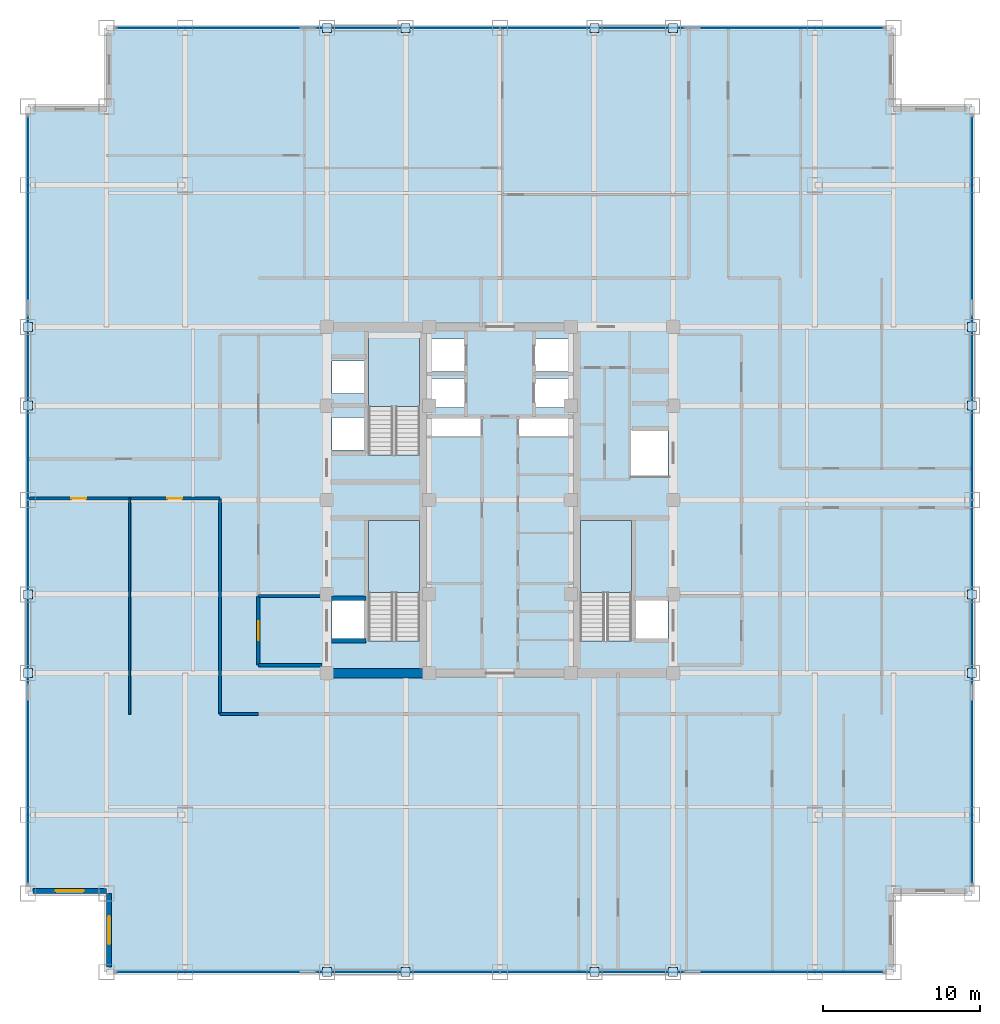
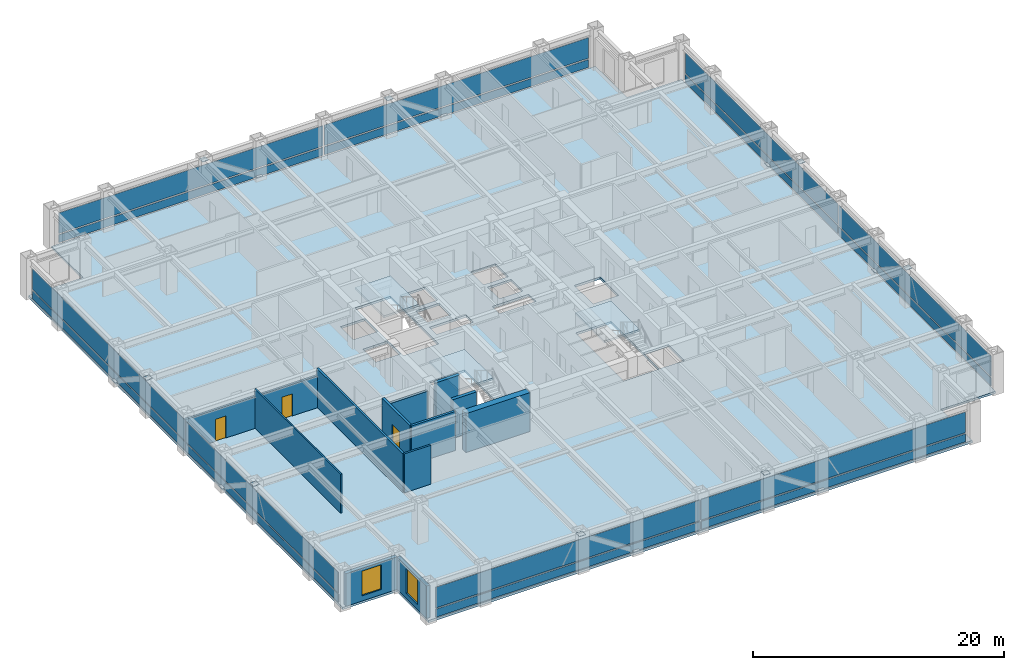
# One storey, part 19 of 25: 32 plates, 12 walls, 4 slabs, 3 doors, 2 windows, 5 openings, 7 elements without a shape of their own.
"""IFC4 building model written with IfcOpenShell, lengths in metres."""

from ifc_helpers import new_model, si_unit, direction, frame, frame_2d, origin, origin_2d, place, context, subcontext, project, spatial, polyline, rectangle, outline, extrude, source, transform, mapped, material, layer, layer_set, type_object, element, fill, aggregate, save


model = new_model("IFC4")

# Units and contexts
model_context = context("Model", 3, precision=1e-05, world=origin(), true_north=direction((0.0, 1.0)))
body_context = subcontext(model_context, "Body", "Model", "MODEL_VIEW")
ifc_project = project(units=[si_unit("LENGTHUNIT", "METRE"), si_unit("AREAUNIT", "SQUARE_METRE"), si_unit("VOLUMEUNIT", "CUBIC_METRE"), si_unit("PLANEANGLEUNIT", "RADIAN"), si_unit("MASSUNIT", "GRAM", prefix="KILO")], contexts=[model_context])

# Site, building, storey
site_placement = place(None, origin())
site = spatial("IfcSite", under=ifc_project, at=site_placement, CompositionType="ELEMENT")
building_placement = place(site_placement, origin())
building = spatial("IfcBuilding", under=site, at=building_placement, Name="Khorayat Bourse Tower", CompositionType="ELEMENT")
storey_placement = place(building_placement, frame((0.0, 0.0, 231.10009765625)))
storey = spatial("IfcBuildingStorey", under=building, at=storey_placement, Name="L54", CompositionType="ELEMENT", Elevation=231.10009765625)

# Stair, slab
ifc_material_1 = material(Name="Concrete C40/50", Category="concrete")
stair_type = type_object("IfcStairType", Name="STR-CORE-1550", PredefinedType="HALF_TURN_STAIR", material=ifc_material_1)
stair_1_placement = place(storey_placement, origin())
stair_1 = element("IfcStair", 1, at=stair_1_placement, inside=storey, type_object=stair_type, Name="L54 Exit Stair ST-1", PredefinedType="HALF_TURN_STAIR")
ifc_layer_1 = layer(ifc_material_1, 0.199951171875)
ifc_layer_set_1 = layer_set([ifc_layer_1], Name="Concrete C40/50")
slab_type_1 = type_object("IfcSlabType", Name="SLB-LANDING-200", PredefinedType="LANDING", material=ifc_layer_set_1)
slab_1_placement = place(storey_placement, frame((0.0, 0.0, 1.7998046875)))
slab_1 = element("IfcSlab", 2, at=slab_1_placement, type_object=slab_type_1, Name="ST-1 landing 1", PredefinedType="LANDING", context=body_context, shape_type="SweptSolid", body=[
    extrude(outline(polyline([(-5.10009765625, -5.8701171875), (-5.10009765625, -1.300048828125), (-8.35009765625, -1.300048828125), (-8.35009765625, -5.8701171875), (-5.10009765625, -5.8701171875)])), origin(), (0.0, 0.0, 1.0), 0.2001953125),
])
aggregate(stair_1, [slab_1])

stair_2_placement = place(storey_placement, origin())
stair_2 = element("IfcStair", 3, at=stair_2_placement, inside=storey, type_object=stair_type, Name="L54 Exit Stair ST-2", PredefinedType="HALF_TURN_STAIR")
slab_2_placement = place(storey_placement, frame((0.0, 0.0, 1.7998046875)))
slab_2 = element("IfcSlab", 4, at=slab_2_placement, type_object=slab_type_1, Name="ST-2 landing 1", PredefinedType="LANDING", context=body_context, shape_type="SweptSolid", body=[
    extrude(outline(polyline([(-5.10009765625, 5.929931640625), (-5.10009765625, 10.5), (-8.35009765625, 10.5), (-8.35009765625, 5.929931640625), (-5.10009765625, 5.929931640625)])), origin(), (0.0, 0.0, 1.0), 0.2001953125),
])
aggregate(stair_2, [slab_2])

stair_3_placement = place(storey_placement, origin())
stair_3 = element("IfcStair", 5, at=stair_3_placement, inside=storey, type_object=stair_type, Name="L54 Exit Stair ST-3", PredefinedType="HALF_TURN_STAIR")
slab_3_placement = place(storey_placement, frame((0.0, 0.0, 1.7998046875)))
slab_3 = element("IfcSlab", 6, at=slab_3_placement, type_object=slab_type_1, Name="ST-3 landing 1", PredefinedType="LANDING", context=body_context, shape_type="SweptSolid", body=[
    extrude(outline(polyline([(8.35009765625, -5.8701171875), (8.35009765625, -1.300048828125), (5.10009765625, -1.300048828125), (5.10009765625, -5.8701171875), (8.35009765625, -5.8701171875)])), origin(), (0.0, 0.0, 1.0), 0.2001953125),
])
aggregate(stair_3, [slab_3])

# Slab
ifc_layer_2 = layer(ifc_material_1, 0.219970703125)
ifc_layer_set_2 = layer_set([ifc_layer_2], Name="Concrete C40/50")
slab_type_2 = type_object("IfcSlabType", Name="SLB-OFFICE-220", PredefinedType="FLOOR", material=ifc_layer_set_2)
slab_4_placement = place(storey_placement, frame((0.0, 0.0, -0.22021484375)))
element("IfcSlab", 7, at=slab_4_placement, inside=storey, type_object=slab_type_2, Name="L54 Main Floor Slab", PredefinedType="FLOOR", context=body_context, shape_type="SweptSolid", body=[
    extrude(outline(polyline([(-25.0, -30.0), (25.0, -30.0), (25.0, -25.0), (30.0, -25.0), (30.0, 25.0), (25.0, 25.0), (25.0, 30.0), (-25.0, 30.0), (-25.0, 25.0), (-30.0, 25.0), (-30.0, -25.0), (-25.0, -25.0), (-25.0, -30.0)]), holes=[polyline([(-8.35009765625, -8.945068359375), (-5.10009765625, -8.945068359375), (-5.10009765625, -1.300048828125), (-8.35009765625, -1.300048828125), (-8.35009765625, -8.945068359375)]), polyline([(-8.35009765625, 2.85498046875), (-5.10009765625, 2.85498046875), (-5.10009765625, 10.5), (-8.35009765625, 10.5), (-8.35009765625, 2.85498046875)]), polyline([(5.10009765625, -8.945068359375), (8.35009765625, -8.945068359375), (8.35009765625, -1.300048828125), (5.10009765625, -1.300048828125), (5.10009765625, -8.945068359375)]), polyline([(-4.3798828125, 8.169921875), (-2.1201171875, 8.169921875), (-2.1201171875, 10.22998046875), (-4.3798828125, 10.22998046875), (-4.3798828125, 8.169921875)]), polyline([(2.1201171875, 8.169921875), (4.3798828125, 8.169921875), (4.3798828125, 10.22998046875), (2.1201171875, 10.22998046875), (2.1201171875, 8.169921875)]), polyline([(-4.3798828125, 5.8701171875), (-2.219970703125, 5.8701171875), (-2.219970703125, 7.72998046875), (-4.3798828125, 7.72998046875), (-4.3798828125, 5.8701171875)]), polyline([(2.219970703125, 5.8701171875), (4.3798828125, 5.8701171875), (4.3798828125, 7.72998046875), (2.219970703125, 7.72998046875), (2.219970703125, 5.8701171875)]), polyline([(-10.679931640625, 3.169921875), (-8.419921875, 3.169921875), (-8.419921875, 5.22998046875), (-10.679931640625, 5.22998046875), (-10.679931640625, 3.169921875)]), polyline([(-10.679931640625, 6.77001953125), (-8.419921875, 6.77001953125), (-8.419921875, 8.830078125), (-10.679931640625, 8.830078125), (-10.679931640625, 6.77001953125)]), polyline([(-10.679931640625, -8.929931640625), (-8.419921875, -8.929931640625), (-8.419921875, -6.3701171875), (-10.679931640625, -6.3701171875), (-10.679931640625, -8.929931640625)]), polyline([(8.419921875, -8.929931640625), (10.679931640625, -8.929931640625), (10.679931640625, -6.3701171875), (8.419921875, -6.3701171875), (8.419921875, -8.929931640625)]), polyline([(8.320068359375, 1.52001953125), (10.679931640625, 1.52001953125), (10.679931640625, 4.47998046875), (8.320068359375, 4.47998046875), (8.320068359375, 1.52001953125)]), polyline([(-4.56005859375, 4.080078125), (-1.18994140625, 4.080078125), (-1.18994140625, 5.219970703125), (-4.56005859375, 5.219970703125), (-4.56005859375, 4.080078125)]), polyline([(1.18994140625, 4.080078125), (4.56005859375, 4.080078125), (4.56005859375, 5.219970703125), (1.18994140625, 5.219970703125), (1.18994140625, 4.080078125)])]), origin(), (0.0, 0.0, 1.0), 0.22021484375),
])

# Plates
ifc_material_2 = material(Name="Steel EN 10025-2 S355J2", Category="steel")
ifc_layer_3 = layer(ifc_material_2, 0.02490234375)
ifc_layer_set_3 = layer_set([ifc_layer_3], Name="Steel EN 10025-2 S355J2")
plate_type_1 = type_object("IfcPlateType", Name="PLT-ENDCAP-25", PredefinedType="SHEET", material=ifc_layer_set_3)
shared_shape_1 = source(origin(), body_context, "Body", "SweptSolid", [
    extrude(rectangle(XDim=0.56005859375, YDim=0.56005859375, at=origin_2d()), origin(), (0.0, 0.0, 1.0), 0.02490234375),
])
for number, where, z_axis, x_axis, name in (
    (8, (-11.0, -30.0, 3.517333984375), (0.0, 0.0, 1.0), (1.0, 0.0, 0.0), "L54 Perimeter Brace End Plate 001"),
    (9, (-6.0, -30.0, 0.237548828125), (0.0, 0.0, 1.0), (1.0, 0.0, 0.0), "L54 Perimeter Brace End Plate 002"),
    (10, (6.0, -30.0, 3.517333984375), (0.0, 0.0, 1.0), (1.0, 0.0, 0.0), "L54 Perimeter Brace End Plate 003"),
    (11, (11.0, -30.0, 0.237548828125), (0.0, 0.0, 1.0), (1.0, 0.0, 0.0), "L54 Perimeter Brace End Plate 004"),
    (12, (-11.0, 30.0, 3.517333984375), (0.0, 0.0, 1.0), (1.0, 0.0, 0.0), "L54 Perimeter Brace End Plate 005"),
    (13, (-6.0, 30.0, 0.237548828125), (0.0, 0.0, 1.0), (1.0, 0.0, 0.0), "L54 Perimeter Brace End Plate 006"),
    (14, (6.0, 30.0, 3.517333984375), (0.0, 0.0, 1.0), (1.0, 0.0, 0.0), "L54 Perimeter Brace End Plate 007"),
    (15, (11.0, 30.0, 0.237548828125), (0.0, 0.0, 1.0), (1.0, 0.0, 0.0), "L54 Perimeter Brace End Plate 008"),
    (16, (-30.0, -11.0, 3.517333984375), (0.0, 0.0, 1.0), (1.0, 0.0, 0.0), "L54 Perimeter Brace End Plate 009"),
    (17, (-30.0, -6.0, 0.237548828125), (0.0, 0.0, 1.0), (1.0, 0.0, 0.0), "L54 Perimeter Brace End Plate 010"),
    (18, (-30.0, 6.0, 3.517333984375), (0.0, 0.0, 1.0), (1.0, 0.0, 0.0), "L54 Perimeter Brace End Plate 011"),
    (19, (-30.0, 11.0, 0.237548828125), (0.0, 0.0, 1.0), (1.0, 0.0, 0.0), "L54 Perimeter Brace End Plate 012"),
    (20, (30.0, -11.0, 3.517333984375), (0.0, 0.0, 1.0), (1.0, 0.0, 0.0), "L54 Perimeter Brace End Plate 013"),
    (21, (30.0, -6.0, 0.237548828125), (0.0, 0.0, 1.0), (1.0, 0.0, 0.0), "L54 Perimeter Brace End Plate 014"),
    (22, (30.0, 6.0, 3.517333984375), (0.0, 0.0, 1.0), (1.0, 0.0, 0.0), "L54 Perimeter Brace End Plate 015"),
    (23, (30.0, 11.0, 0.237548828125), (0.0, 0.0, 1.0), (1.0, 0.0, 0.0), "L54 Perimeter Brace End Plate 016"),
):
    element("IfcPlate", number, at=place(storey_placement, frame(where, z_axis=z_axis, x_axis=x_axis)), inside=storey, type_object=plate_type_1, Name=name, PredefinedType="SHEET", context=body_context, shape_type="MappedRepresentation", body=[
        mapped(shared_shape_1, transform((0.0, 0.0, 0.0), scale=1.0)),
    ])

# Curtain wall, plates
ifc_material_3 = material(Name="Aluminium EN AW-6063 T6", Category="aluminium")
curtain_wall_type = type_object("IfcCurtainWallType", Name="CW-SYS-03", PredefinedType="NOTDEFINED", material=ifc_material_3)
curtain_wall_1_placement = place(storey_placement, origin())
curtain_wall_1 = element("IfcCurtainWall", 24, at=curtain_wall_1_placement, inside=storey, type_object=curtain_wall_type, Name="L54 Curtain Wall CW-L54-S1", PredefinedType="NOTDEFINED")
ifc_material_4 = material(Name="Honed desert limestone insulated spandrel", Category="masonry")
ifc_layer_4 = layer(ifc_material_4, 0.06494140625)
ifc_layer_set_4 = layer_set([ifc_layer_4], Name="Honed desert limestone insulated spandrel")
plate_type_2 = type_object("IfcPlateType", Name="CWP-SPAND-03", PredefinedType="CURTAIN_PANEL", material=ifc_layer_set_4)
shared_shape_2 = source(origin(), body_context, "Body", "SweptSolid", [
    extrude(rectangle(XDim=24.27001953125, YDim=0.06494140625, at=origin_2d()), origin(), (0.0, 0.0, 1.0), 0.77001953125),
])
plate_1_placement = place(storey_placement, frame((-12.195068359375, -30.0, 0.119873046875), z_axis=(0.0, 0.0, 1.0), x_axis=(1.0, 0.0, 0.0)))
plate_1 = element("IfcPlate", 25, at=plate_1_placement, type_object=plate_type_2, Name="CW-L54-S1 Spandrel Panel 1-1", PredefinedType="CURTAIN_PANEL", context=body_context, shape_type="MappedRepresentation", body=[
    mapped(shared_shape_2, transform((0.0, 0.0, 0.0), scale=1.0)),
])
plate_2_placement = place(storey_placement, frame((12.195068359375, -30.0, 0.119873046875), z_axis=(0.0, 0.0, 1.0), x_axis=(1.0, 0.0, 0.0)))
plate_2 = element("IfcPlate", 26, at=plate_2_placement, type_object=plate_type_2, Name="CW-L54-S1 Spandrel Panel 2-1", PredefinedType="CURTAIN_PANEL", context=body_context, shape_type="MappedRepresentation", body=[
    mapped(shared_shape_2, transform((0.0, 0.0, 0.0), scale=1.0)),
])

curtain_wall_2_placement = place(storey_placement, origin())
curtain_wall_2 = element("IfcCurtainWall", 27, at=curtain_wall_2_placement, inside=storey, type_object=curtain_wall_type, Name="L54 Curtain Wall CW-L54-N1", PredefinedType="NOTDEFINED")
plate_3_placement = place(storey_placement, frame((-12.195068359375, 30.0, 0.119873046875), z_axis=(0.0, 0.0, 1.0), x_axis=(1.0, 0.0, 0.0)))
plate_3 = element("IfcPlate", 28, at=plate_3_placement, type_object=plate_type_2, Name="CW-L54-N1 Spandrel Panel 1-1", PredefinedType="CURTAIN_PANEL", context=body_context, shape_type="MappedRepresentation", body=[
    mapped(shared_shape_2, transform((0.0, 0.0, 0.0), scale=1.0)),
])
plate_4_placement = place(storey_placement, frame((12.195068359375, 30.0, 0.119873046875), z_axis=(0.0, 0.0, 1.0), x_axis=(1.0, 0.0, 0.0)))
plate_4 = element("IfcPlate", 29, at=plate_4_placement, type_object=plate_type_2, Name="CW-L54-N1 Spandrel Panel 2-1", PredefinedType="CURTAIN_PANEL", context=body_context, shape_type="MappedRepresentation", body=[
    mapped(shared_shape_2, transform((0.0, 0.0, 0.0), scale=1.0)),
])

curtain_wall_3_placement = place(storey_placement, origin())
curtain_wall_3 = element("IfcCurtainWall", 30, at=curtain_wall_3_placement, inside=storey, type_object=curtain_wall_type, Name="L54 Curtain Wall CW-L54-W1", PredefinedType="NOTDEFINED")
plate_5_placement = place(storey_placement, frame((-30.0, -12.195068359375, 0.119873046875), z_axis=(0.0, 0.0, 1.0), x_axis=(0.0, 1.0, 0.0)))
plate_5 = element("IfcPlate", 31, at=plate_5_placement, type_object=plate_type_2, Name="CW-L54-W1 Spandrel Panel 1-1", PredefinedType="CURTAIN_PANEL", context=body_context, shape_type="MappedRepresentation", body=[
    mapped(shared_shape_2, transform((0.0, 0.0, 0.0), scale=1.0)),
])
plate_6_placement = place(storey_placement, frame((-30.0, 12.195068359375, 0.119873046875), z_axis=(0.0, 0.0, 1.0), x_axis=(0.0, 1.0, 0.0)))
plate_6 = element("IfcPlate", 32, at=plate_6_placement, type_object=plate_type_2, Name="CW-L54-W1 Spandrel Panel 2-1", PredefinedType="CURTAIN_PANEL", context=body_context, shape_type="MappedRepresentation", body=[
    mapped(shared_shape_2, transform((0.0, 0.0, 0.0), scale=1.0)),
])

curtain_wall_4_placement = place(storey_placement, origin())
curtain_wall_4 = element("IfcCurtainWall", 33, at=curtain_wall_4_placement, inside=storey, type_object=curtain_wall_type, Name="L54 Curtain Wall CW-L54-E1", PredefinedType="NOTDEFINED")
plate_7_placement = place(storey_placement, frame((30.0, -12.195068359375, 0.119873046875), z_axis=(0.0, 0.0, 1.0), x_axis=(0.0, 1.0, 0.0)))
plate_7 = element("IfcPlate", 34, at=plate_7_placement, type_object=plate_type_2, Name="CW-L54-E1 Spandrel Panel 1-1", PredefinedType="CURTAIN_PANEL", context=body_context, shape_type="MappedRepresentation", body=[
    mapped(shared_shape_2, transform((0.0, 0.0, 0.0), scale=1.0)),
])
plate_8_placement = place(storey_placement, frame((30.0, 12.195068359375, 0.119873046875), z_axis=(0.0, 0.0, 1.0), x_axis=(0.0, 1.0, 0.0)))
plate_8 = element("IfcPlate", 35, at=plate_8_placement, type_object=plate_type_2, Name="CW-L54-E1 Spandrel Panel 2-1", PredefinedType="CURTAIN_PANEL", context=body_context, shape_type="MappedRepresentation", body=[
    mapped(shared_shape_2, transform((0.0, 0.0, 0.0), scale=1.0)),
])

# Plate
ifc_material_5 = material(Name="Low-E solar-control laminated double glazing", Category="glass")
ifc_layer_5 = layer(ifc_material_5, 0.035888671875)
ifc_layer_set_5 = layer_set([ifc_layer_5], Name="Low-E solar-control laminated double glazing")
plate_type_3 = type_object("IfcPlateType", Name="CWP-VIS-01", PredefinedType="CURTAIN_PANEL", material=ifc_layer_set_5)
shared_shape_3 = source(origin(), body_context, "Body", "SweptSolid", [
    extrude(rectangle(XDim=24.27001953125, YDim=0.035888671875, at=origin_2d()), origin(), (0.0, 0.0, 1.0), 2.0),
])
plate_9_placement = place(storey_placement, frame((-12.195068359375, -30.0, 1.010009765625), z_axis=(0.0, 0.0, 1.0), x_axis=(1.0, 0.0, 0.0)))
plate_9 = element("IfcPlate", 36, at=plate_9_placement, type_object=plate_type_3, Name="CW-L54-S1 Vision Panel 1-2", PredefinedType="CURTAIN_PANEL", context=body_context, shape_type="MappedRepresentation", body=[
    mapped(shared_shape_3, transform((0.0, 0.0, 0.0), scale=1.0)),
])

plate_10_placement = place(storey_placement, frame((12.195068359375, -30.0, 1.010009765625), z_axis=(0.0, 0.0, 1.0), x_axis=(1.0, 0.0, 0.0)))
plate_10 = element("IfcPlate", 37, at=plate_10_placement, type_object=plate_type_3, Name="CW-L54-S1 Vision Panel 2-2", PredefinedType="CURTAIN_PANEL", context=body_context, shape_type="MappedRepresentation", body=[
    mapped(shared_shape_3, transform((0.0, 0.0, 0.0), scale=1.0)),
])

aggregate(curtain_wall_1, [plate_1, plate_9, plate_2, plate_10])

plate_11_placement = place(storey_placement, frame((-12.195068359375, 30.0, 1.010009765625), z_axis=(0.0, 0.0, 1.0), x_axis=(1.0, 0.0, 0.0)))
plate_11 = element("IfcPlate", 38, at=plate_11_placement, type_object=plate_type_3, Name="CW-L54-N1 Vision Panel 1-2", PredefinedType="CURTAIN_PANEL", context=body_context, shape_type="MappedRepresentation", body=[
    mapped(shared_shape_3, transform((0.0, 0.0, 0.0), scale=1.0)),
])

plate_12_placement = place(storey_placement, frame((12.195068359375, 30.0, 1.010009765625), z_axis=(0.0, 0.0, 1.0), x_axis=(1.0, 0.0, 0.0)))
plate_12 = element("IfcPlate", 39, at=plate_12_placement, type_object=plate_type_3, Name="CW-L54-N1 Vision Panel 2-2", PredefinedType="CURTAIN_PANEL", context=body_context, shape_type="MappedRepresentation", body=[
    mapped(shared_shape_3, transform((0.0, 0.0, 0.0), scale=1.0)),
])

aggregate(curtain_wall_2, [plate_3, plate_11, plate_4, plate_12])

plate_13_placement = place(storey_placement, frame((-30.0, -12.195068359375, 1.010009765625), z_axis=(0.0, 0.0, 1.0), x_axis=(0.0, 1.0, 0.0)))
plate_13 = element("IfcPlate", 40, at=plate_13_placement, type_object=plate_type_3, Name="CW-L54-W1 Vision Panel 1-2", PredefinedType="CURTAIN_PANEL", context=body_context, shape_type="MappedRepresentation", body=[
    mapped(shared_shape_3, transform((0.0, 0.0, 0.0), scale=1.0)),
])

plate_14_placement = place(storey_placement, frame((-30.0, 12.195068359375, 1.010009765625), z_axis=(0.0, 0.0, 1.0), x_axis=(0.0, 1.0, 0.0)))
plate_14 = element("IfcPlate", 41, at=plate_14_placement, type_object=plate_type_3, Name="CW-L54-W1 Vision Panel 2-2", PredefinedType="CURTAIN_PANEL", context=body_context, shape_type="MappedRepresentation", body=[
    mapped(shared_shape_3, transform((0.0, 0.0, 0.0), scale=1.0)),
])

aggregate(curtain_wall_3, [plate_5, plate_13, plate_6, plate_14])

plate_15_placement = place(storey_placement, frame((30.0, -12.195068359375, 1.010009765625), z_axis=(0.0, 0.0, 1.0), x_axis=(0.0, 1.0, 0.0)))
plate_15 = element("IfcPlate", 42, at=plate_15_placement, type_object=plate_type_3, Name="CW-L54-E1 Vision Panel 1-2", PredefinedType="CURTAIN_PANEL", context=body_context, shape_type="MappedRepresentation", body=[
    mapped(shared_shape_3, transform((0.0, 0.0, 0.0), scale=1.0)),
])

plate_16_placement = place(storey_placement, frame((30.0, 12.195068359375, 1.010009765625), z_axis=(0.0, 0.0, 1.0), x_axis=(0.0, 1.0, 0.0)))
plate_16 = element("IfcPlate", 43, at=plate_16_placement, type_object=plate_type_3, Name="CW-L54-E1 Vision Panel 2-2", PredefinedType="CURTAIN_PANEL", context=body_context, shape_type="MappedRepresentation", body=[
    mapped(shared_shape_3, transform((0.0, 0.0, 0.0), scale=1.0)),
])

aggregate(curtain_wall_4, [plate_7, plate_15, plate_8, plate_16])

# Wall
ifc_material_6 = material(Name="Concrete C60/75", Category="concrete")
ifc_layer_6 = layer(ifc_material_6, 0.60009765625)
ifc_layer_set_6 = layer_set([ifc_layer_6], Name="Concrete C60/75")
wall_type_1 = type_object("IfcWallType", Name="WAL-CORE-600", PredefinedType="SHEAR", material=ifc_layer_set_6)
shared_shape_4 = source(origin(), body_context, "Body", "SweptSolid", [
    extrude(rectangle(XDim=5.89990234375, YDim=0.60009765625, at=frame_2d((2.949951171875, 0.0))), origin(), (0.0, 0.0, 1.0), 3.77978515625),
])
wall_1_placement = place(storey_placement, frame((-10.75, -11.0, 0.0), z_axis=(0.0, 0.0, 1.0), x_axis=(1.0, 0.0, 0.0)))
element("IfcWall", 44, at=wall_1_placement, inside=storey, type_object=wall_type_1, Name="L54 Core Shear Wall PIER-WS", PredefinedType="SHEAR", context=body_context, shape_type="MappedRepresentation", body=[
    mapped(shared_shape_4, transform((0.0, 0.0, 0.0), scale=1.0)),
])

# Wall, opening, window
ifc_material_7 = material(Name="Precast concrete C45/55", Category="concrete")
ifc_layer_7 = layer(ifc_material_7, 0.320068359375)
ifc_layer_set_7 = layer_set([ifc_layer_7], Name="Precast concrete C45/55")
wall_type_2 = type_object("IfcWallType", Name="WAL-EXT-STONE-320", PredefinedType="STANDARD", material=ifc_layer_set_7)
shared_shape_5 = source(origin(), body_context, "Body", "SweptSolid", [
    extrude(rectangle(XDim=4.679931640625, YDim=0.320068359375, at=frame_2d((2.33984375, 0.0))), origin(), (0.0, 0.0, 1.0), 3.163818359375),
])
wall_2_placement = place(storey_placement, frame((-25.0, -24.840087890625, 0.0), z_axis=(0.0, 0.0, 1.0), x_axis=(-1.0, 0.0, 0.0)))
wall_2 = element("IfcWall", 45, at=wall_2_placement, inside=storey, type_object=wall_type_2, Name="L54 Re-Entrant Notch Limestone Wall SW-H", PredefinedType="STANDARD", context=body_context, shape_type="MappedRepresentation", body=[
    mapped(shared_shape_5, transform((0.0, 0.0, 0.0), scale=1.0)),
])
shared_shape_6 = source(origin(), body_context, "Body", "SweptSolid", [
    extrude(rectangle(XDim=1.800048828125, YDim=2.39990234375, at=frame_2d((0.89990234375, 1.199951171875))), frame((0.0, 0.169921875, 0.0), z_axis=(0.0, -1.0, 0.0), x_axis=(1.0, 0.0, 0.0)), (0.0, 0.0, 1.0), 0.340087890625),
])
opening_1_placement = place(wall_2_placement, frame((1.43994140625, 0.0, 0.5)))
opening_1 = element("IfcOpeningElement", 46, at=opening_1_placement, cuts=wall_2, Name="Opening WN-04", PredefinedType="OPENING", context=body_context, shape_type="MappedRepresentation", body=[
    mapped(shared_shape_6, transform((0.0, 0.0, 0.0), scale=1.0)),
])
ifc_material_8 = material(Name="Low-E acoustic laminated double glazing", Category="glass")
window_type = type_object("IfcWindowType", Name="WIN-NOTCH-1800x2400", PartitioningType="SINGLE_PANEL", PredefinedType="WINDOW", material=ifc_material_8)
shared_shape_7 = source(origin(), body_context, "Body", "SweptSolid", [
    extrude(rectangle(XDim=1.800048828125, YDim=2.39990234375, at=frame_2d((0.89990234375, 1.199951171875))), frame((0.0, 0.030029296875, 0.0), z_axis=(0.0, -1.0, 0.0), x_axis=(1.0, 0.0, 0.0)), (0.0, 0.0, 1.0), 0.06005859375),
])
window_1_placement = place(opening_1_placement, origin())
window_1 = element("IfcWindow", 47, at=window_1_placement, inside=storey, type_object=window_type, Name="L54 Facade Window 1", OverallHeight=2.39990234375, OverallWidth=1.800048828125, PartitioningType="SINGLE_PANEL", PredefinedType="WINDOW", context=body_context, shape_type="MappedRepresentation", body=[
    mapped(shared_shape_7, transform((0.0, 0.0, 0.0), scale=1.0)),
])
fill(opening_1, window_1)

wall_3_placement = place(storey_placement, frame((-24.840087890625, -29.679931640625, 0.0), z_axis=(0.0, 0.0, 1.0), x_axis=(0.0, 1.0, 0.0)))
wall_3 = element("IfcWall", 48, at=wall_3_placement, inside=storey, type_object=wall_type_2, Name="L54 Re-Entrant Notch Limestone Wall SW-V", PredefinedType="STANDARD", context=body_context, shape_type="MappedRepresentation", body=[
    mapped(shared_shape_5, transform((0.0, 0.0, 0.0), scale=1.0)),
])
opening_2_placement = place(wall_3_placement, frame((1.43994140625, 0.0, 0.5)))
opening_2 = element("IfcOpeningElement", 49, at=opening_2_placement, cuts=wall_3, Name="Opening WN-04", PredefinedType="OPENING", context=body_context, shape_type="MappedRepresentation", body=[
    mapped(shared_shape_6, transform((0.0, 0.0, 0.0), scale=1.0)),
])
window_2_placement = place(opening_2_placement, origin())
window_2 = element("IfcWindow", 50, at=window_2_placement, inside=storey, type_object=window_type, Name="L54 Facade Window 1", OverallHeight=2.39990234375, OverallWidth=1.800048828125, PartitioningType="SINGLE_PANEL", PredefinedType="WINDOW", context=body_context, shape_type="MappedRepresentation", body=[
    mapped(shared_shape_7, transform((0.0, 0.0, 0.0), scale=1.0)),
])
fill(opening_2, window_2)

# Walls
ifc_material_9 = material(Name="Aerated concrete blockwork", Category="masonry")
ifc_layer_8 = layer(ifc_material_9, 0.219970703125)
ifc_layer_set_8 = layer_set([ifc_layer_8], Name="Aerated concrete blockwork")
wall_type_3 = type_object("IfcWallType", Name="WAL-PART-FF-220", PredefinedType="PARTITIONING", material=ifc_layer_set_8)
shared_shape_8 = source(origin(), body_context, "Body", "SweptSolid", [
    extrude(rectangle(XDim=4.050048828125, YDim=0.219970703125, at=frame_2d((2.02490234375, 0.0))), origin(), (0.0, 0.0, 1.0), 3.0849609375),
])
wall_4_placement = place(storey_placement, frame((-15.35009765625, -6.10009765625, 0.0), z_axis=(0.0, 0.0, 1.0), x_axis=(1.0, 0.0, 0.0)))
element("IfcWall", 51, at=wall_4_placement, inside=storey, type_object=wall_type_3, Name="L54 Partition WAL-L54-FFLW-N", PredefinedType="PARTITIONING", context=body_context, shape_type="MappedRepresentation", body=[
    mapped(shared_shape_8, transform((0.0, 0.0, 0.0), scale=1.0)),
])
ifc_material_10 = material(Name="Concrete C50/60", Category="concrete")
ifc_layer_9 = layer(ifc_material_10, 0.300048828125)
ifc_layer_set_9 = layer_set([ifc_layer_9], Name="Concrete C50/60")
wall_type_4 = type_object("IfcWallType", Name="WAL-SHAFT-300", PredefinedType="SHEAR", material=ifc_layer_set_9)
shared_shape_9 = source(origin(), body_context, "Body", "SweptSolid", [
    extrude(rectangle(XDim=2.199951171875, YDim=0.300048828125, at=frame_2d((1.10009765625, 0.0))), origin(), (0.0, 0.0, 1.0), 3.77978515625),
])
for number, where, z_axis, x_axis, name in (
    (52, (-10.699951171875, -8.949951171875, 0.0), (0.0, 0.0, 1.0), (1.0, 0.0, 0.0), "L54 Partition WAL-L54-WPIER-FF1S"),
    (53, (-10.699951171875, -6.25, 0.0), (0.0, 0.0, 1.0), (1.0, 0.0, 0.0), "L54 Partition WAL-L54-WPIER-FF1N"),
):
    element("IfcWall", number, at=place(storey_placement, frame(where, z_axis=z_axis, x_axis=x_axis)), inside=storey, type_object=wall_type_4, Name=name, PredefinedType="SHEAR", context=body_context, shape_type="MappedRepresentation", body=[
        mapped(shared_shape_9, transform((0.0, 0.0, 0.0), scale=1.0)),
    ])
shared_shape_10 = source(origin(), body_context, "Body", "SweptSolid", [
    extrude(rectangle(XDim=4.050048828125, YDim=0.219970703125, at=frame_2d((2.02490234375, 0.0))), origin(), (0.0, 0.0, 1.0), 3.77978515625),
])
wall_5_placement = place(storey_placement, frame((-15.35009765625, -10.5, 0.0), z_axis=(0.0, 0.0, 1.0), x_axis=(1.0, 0.0, 0.0)))
element("IfcWall", 54, at=wall_5_placement, inside=storey, type_object=wall_type_3, Name="L54 Partition WAL-L54-FFLW-S", PredefinedType="PARTITIONING", context=body_context, shape_type="MappedRepresentation", body=[
    mapped(shared_shape_10, transform((0.0, 0.0, 0.0), scale=1.0)),
])

# Wall, opening, door
shared_shape_11 = source(origin(), body_context, "Body", "SweptSolid", [
    extrude(rectangle(XDim=4.39990234375, YDim=0.219970703125, at=frame_2d((2.199951171875, 0.0))), origin(), (0.0, 0.0, 1.0), 3.77978515625),
])
wall_6_placement = place(storey_placement, frame((-15.35009765625, -10.5, 0.0), z_axis=(0.0, 0.0, 1.0), x_axis=(0.0, 1.0, 0.0)))
wall_6 = element("IfcWall", 55, at=wall_6_placement, inside=storey, type_object=wall_type_3, Name="L54 Partition WAL-L54-FFLW-W", PredefinedType="PARTITIONING", context=body_context, shape_type="MappedRepresentation", body=[
    mapped(shared_shape_11, transform((0.0, 0.0, 0.0), scale=1.0)),
])
shared_shape_12 = source(origin(), body_context, "Body", "SweptSolid", [
    extrude(rectangle(XDim=1.199951171875, YDim=2.199951171875, at=frame_2d((0.60009765625, 1.10009765625))), frame((0.0, 0.119873046875, 0.0), z_axis=(0.0, -1.0, 0.0), x_axis=(1.0, 0.0, 0.0)), (0.0, 0.0, 1.0), 0.239990234375),
])
opening_3_placement = place(wall_6_placement, frame((1.60009765625, 0.0, 0.0)))
opening_3 = element("IfcOpeningElement", 56, at=opening_3_placement, cuts=wall_6, Name="Opening DI-02", PredefinedType="OPENING", context=body_context, shape_type="MappedRepresentation", body=[
    mapped(shared_shape_12, transform((0.0, 0.0, 0.0), scale=1.0)),
])
ifc_material_11 = material(Name="Fire-rated steel double-seal leaf", Category="steel")
door_type_1 = type_object("IfcDoorType", Name="DR-INT-FFLOBBY-1200", OperationType="NOTDEFINED", PredefinedType="DOOR", material=ifc_material_11)
shared_shape_13 = source(origin(), body_context, "Body", "SweptSolid", [
    extrude(rectangle(XDim=1.199951171875, YDim=2.199951171875, at=frame_2d((0.60009765625, 1.10009765625))), frame((0.0, 0.02490234375, 0.0), z_axis=(0.0, -1.0, 0.0), x_axis=(1.0, 0.0, 0.0)), (0.0, 0.0, 1.0), 0.050048828125),
])
door_1_placement = place(opening_3_placement, origin())
door_1 = element("IfcDoor", 57, at=door_1_placement, inside=storey, type_object=door_type_1, Name="L54 West Firefighting Lobby Door", OperationType="SINGLE_SWING_LEFT", OverallHeight=2.199951171875, OverallWidth=1.199951171875, PredefinedType="DOOR", context=body_context, shape_type="MappedRepresentation", body=[
    mapped(shared_shape_13, transform((0.0, 0.0, 0.0), scale=1.0)),
])
fill(opening_3, door_1)

# Walls
ifc_material_12 = material(Name="Gypsum plasterboard acoustic stud wall")
ifc_layer_10 = layer(ifc_material_12, 0.179931640625)
ifc_layer_set_10 = layer_set([ifc_layer_10], Name="Gypsum plasterboard acoustic stud wall")
wall_type_5 = type_object("IfcWallType", Name="WAL-PART-CORR-180", PredefinedType="PARTITIONING", material=ifc_layer_set_10)
shared_shape_14 = source(origin(), body_context, "Body", "SweptSolid", [
    extrude(rectangle(XDim=2.449951171875, YDim=0.179931640625, at=frame_2d((1.22509765625, 0.0))), origin(), (0.0, 0.0, 1.0), 3.77978515625),
])
wall_7_placement = place(storey_placement, frame((-17.800048828125, -13.60009765625, 0.0), z_axis=(0.0, 0.0, 1.0), x_axis=(1.0, 0.0, 0.0)))
element("IfcWall", 58, at=wall_7_placement, inside=storey, type_object=wall_type_5, Name="L54 Partition WAL-L54-C2-WS", PredefinedType="PARTITIONING", context=body_context, shape_type="MappedRepresentation", body=[
    mapped(shared_shape_14, transform((0.0, 0.0, 0.0), scale=1.0)),
])
ifc_material_13 = material(Name="Gypsum plasterboard partition")
ifc_layer_11 = layer(ifc_material_13, 0.125)
ifc_layer_set_11 = layer_set([ifc_layer_11], Name="Gypsum plasterboard partition")
wall_type_6 = type_object("IfcWallType", Name="WAL-PART-ROOM-125", PredefinedType="PARTITIONING", material=ifc_layer_set_11)
shared_shape_15 = source(origin(), body_context, "Body", "SweptSolid", [
    extrude(rectangle(XDim=13.7001953125, YDim=0.125, at=frame_2d((6.85009765625, 0.0))), origin(), (0.0, 0.0, 1.0), 3.77978515625),
])
wall_8_placement = place(storey_placement, frame((-23.533935546875, -13.60009765625, 0.0), z_axis=(0.0, 0.0, 1.0), x_axis=(0.0, 1.0, 0.0)))
element("IfcWall", 59, at=wall_8_placement, inside=storey, type_object=wall_type_6, Name="L54 Partition WAL-L54-WS-DV", PredefinedType="PARTITIONING", context=body_context, shape_type="MappedRepresentation", body=[
    mapped(shared_shape_15, transform((0.0, 0.0, 0.0), scale=1.0)),
])

# Wall, openings, doors
shared_shape_16 = source(origin(), body_context, "Body", "SweptSolid", [
    extrude(rectangle(XDim=12.199951171875, YDim=0.179931640625, at=frame_2d((6.10009765625, 0.0))), origin(), (0.0, 0.0, 1.0), 3.0849609375),
])
wall_9_placement = place(storey_placement, frame((-30.0, 0.10009765625, 0.0), z_axis=(0.0, 0.0, 1.0), x_axis=(1.0, 0.0, 0.0)))
wall_9 = element("IfcWall", 60, at=wall_9_placement, inside=storey, type_object=wall_type_5, Name="L54 Partition WAL-L54-WS-SPK", PredefinedType="PARTITIONING", context=body_context, shape_type="MappedRepresentation", body=[
    mapped(shared_shape_16, transform((0.0, 0.0, 0.0), scale=1.0)),
])
shared_shape_17 = source(origin(), body_context, "Body", "SweptSolid", [
    extrude(rectangle(XDim=0.949951171875, YDim=2.14990234375, at=frame_2d((0.47509765625, 1.074951171875))), frame((0.0, 0.099853515625, 0.0), z_axis=(0.0, -1.0, 0.0), x_axis=(1.0, 0.0, 0.0)), (0.0, 0.0, 1.0), 0.199951171875),
])
opening_4_placement = place(wall_9_placement, frame((2.758056640625, 0.0, 0.0)))
opening_4 = element("IfcOpeningElement", 61, at=opening_4_placement, cuts=wall_9, Name="Opening DI-05", PredefinedType="OPENING", context=body_context, shape_type="MappedRepresentation", body=[
    mapped(shared_shape_17, transform((0.0, 0.0, 0.0), scale=1.0)),
])
opening_5_placement = place(wall_9_placement, frame((8.85791015625, 0.0, 0.0)))
opening_5 = element("IfcOpeningElement", 62, at=opening_5_placement, cuts=wall_9, Name="Opening DI-05", PredefinedType="OPENING", context=body_context, shape_type="MappedRepresentation", body=[
    mapped(shared_shape_17, transform((0.0, 0.0, 0.0), scale=1.0)),
])
ifc_material_14 = material(Name="Acoustic oak veneer office door")
door_type_2 = type_object("IfcDoorType", Name="DR-INT-OFFICE-950", OperationType="NOTDEFINED", PredefinedType="DOOR", material=ifc_material_14)
shared_shape_18 = source(origin(), body_context, "Body", "SweptSolid", [
    extrude(rectangle(XDim=0.949951171875, YDim=2.14990234375, at=frame_2d((0.47509765625, 1.074951171875))), frame((0.0, 0.02490234375, 0.0), z_axis=(0.0, -1.0, 0.0), x_axis=(1.0, 0.0, 0.0)), (0.0, 0.0, 1.0), 0.050048828125),
])
door_2_placement = place(opening_4_placement, origin())
door_2 = element("IfcDoor", 63, at=door_2_placement, inside=storey, type_object=door_type_2, Name="L54 Brokerage Seminar Room WSA Door", OperationType="SINGLE_SWING_LEFT", OverallHeight=2.14990234375, OverallWidth=0.949951171875, PredefinedType="DOOR", context=body_context, shape_type="MappedRepresentation", body=[
    mapped(shared_shape_18, transform((0.0, 0.0, 0.0), scale=1.0)),
])
fill(opening_4, door_2)
door_3_placement = place(opening_5_placement, origin())
door_3 = element("IfcDoor", 64, at=door_3_placement, inside=storey, type_object=door_type_2, Name="L54 Market Committee Conference Room WSB Door", OperationType="SINGLE_SWING_RIGHT", OverallHeight=2.14990234375, OverallWidth=0.949951171875, PredefinedType="DOOR", context=body_context, shape_type="MappedRepresentation", body=[
    mapped(shared_shape_18, transform((0.0, 0.0, 0.0), scale=1.0)),
])
fill(opening_5, door_3)

# Wall
shared_shape_19 = source(origin(), body_context, "Body", "SweptSolid", [
    extrude(rectangle(XDim=13.7001953125, YDim=0.179931640625, at=frame_2d((6.85009765625, 0.0))), origin(), (0.0, 0.0, 1.0), 3.77978515625),
])
wall_10_placement = place(storey_placement, frame((-17.800048828125, -13.60009765625, 0.0), z_axis=(0.0, 0.0, 1.0), x_axis=(0.0, 1.0, 0.0)))
element("IfcWall", 65, at=wall_10_placement, inside=storey, type_object=wall_type_5, Name="L54 Partition WAL-L54-WS-IN", PredefinedType="PARTITIONING", context=body_context, shape_type="MappedRepresentation", body=[
    mapped(shared_shape_19, transform((0.0, 0.0, 0.0), scale=1.0)),
])

save(model, "model.ifc")
